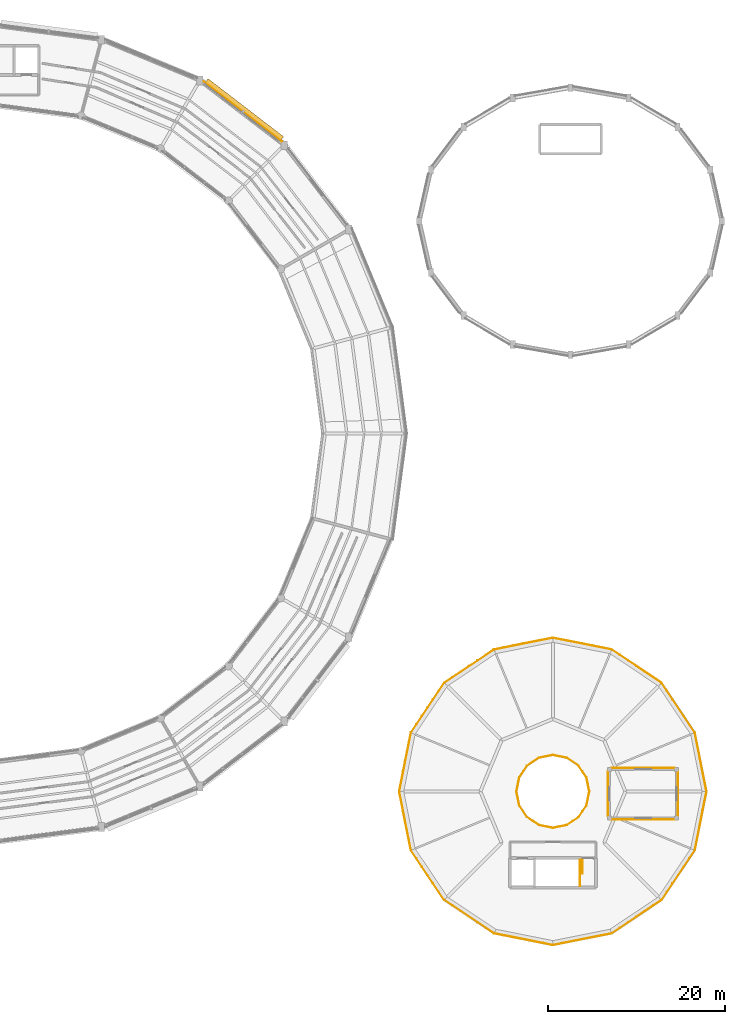
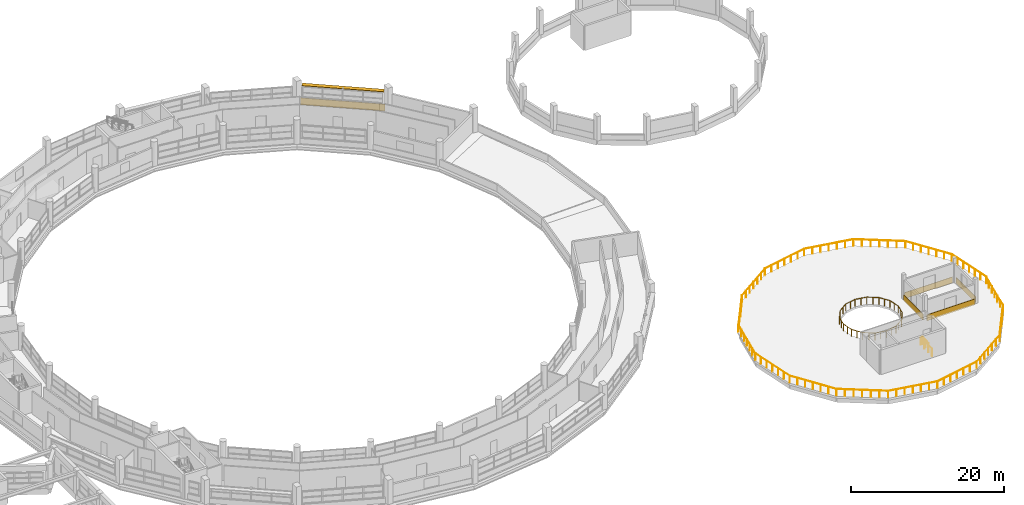
# One storey, part 107 of 108: 6 railings, 5 coverings, 1 shading device.
"""IFC4 building model written with IfcOpenShell, lengths in metres."""

from ifc_helpers import new_model, si_unit, direction, frame, frame_2d, origin, origin_2d, place, context, subcontext, project, spatial, rectangle, circle, extrude, material, layer, layer_set, type_object, element, save


model = new_model("IFC4")

# Units and contexts
model_context = context("Model", 3, precision=1e-05, world=origin(), true_north=direction((0.0, 1.0)))
body_context = subcontext(model_context, "Body", "Model", "MODEL_VIEW")
ifc_project = project(units=[si_unit("LENGTHUNIT", "METRE"), si_unit("AREAUNIT", "SQUARE_METRE"), si_unit("VOLUMEUNIT", "CUBIC_METRE"), si_unit("PLANEANGLEUNIT", "RADIAN"), si_unit("MASSUNIT", "GRAM", prefix="KILO")], contexts=[model_context])

# Site, building, storey
site_placement = place(None, origin())
site = spatial("IfcSite", under=ifc_project, at=site_placement, CompositionType="ELEMENT")
building_placement = place(site_placement, origin())
building = spatial("IfcBuilding", under=site, at=building_placement, Name="Vespera Passage Community Centre", CompositionType="ELEMENT")
storey_placement = place(building_placement, frame((0.0, 0.0, 12.60009765625)))
storey = spatial("IfcBuildingStorey", under=building, at=storey_placement, Name="L03", CompositionType="ELEMENT", Elevation=12.60009765625)

# Coverings
ifc_material_1 = material(Name="Precast concrete f'c 40 MPa", Category="concrete")
ifc_layer = layer(ifc_material_1, 0.06005859375)
ifc_layer_set = layer_set([ifc_layer], Name="Precast concrete f'c 40 MPa")
covering_type = type_object("IfcCoveringType", Name="COV-CLAD-60E", PredefinedType="CLADDING", material=ifc_layer_set)
covering_1_placement = place(storey_placement, frame((101.5087890625, 105.2861328125, -0.280029296875), z_axis=(0.0, 0.0, 1.0), x_axis=(0.793342066679, -0.608776120785, 0.0)))
element("IfcCovering", 1, at=covering_1_placement, inside=storey, type_object=covering_type, Name="V4 L03 Outer White Spandrel Band O3", PredefinedType="CLADDING", context=body_context, shape_type="SweptSolid", body=[
    extrude(rectangle(XDim=11.13916015625, YDim=0.06005859375, at=frame_2d((5.569580078125, 0.0))), origin(), (0.0, 0.0, 1.0), 1.099853515625),
])
covering_2_placement = place(storey_placement, frame((147.2451171875, 22.199951171875, -0.2001953125), z_axis=(0.0, 0.0, 1.0), x_axis=(0.0, 1.0, 0.0)))
element("IfcCovering", 2, at=covering_2_placement, inside=storey, type_object=covering_type, Name="Conservatory White Sill Band 1", PredefinedType="CLADDING", context=body_context, shape_type="SweptSolid", body=[
    extrude(rectangle(XDim=5.10009765625, YDim=0.06005859375, at=frame_2d((2.550048828125, 0.0))), origin(), (0.0, 0.0, 1.0), 0.9501953125),
])
covering_3_placement = place(storey_placement, frame((147.60009765625, 27.655029296875, -0.2001953125), z_axis=(0.0, 0.0, 1.0), x_axis=(1.0, 0.0, 0.0)))
element("IfcCovering", 3, at=covering_3_placement, inside=storey, type_object=covering_type, Name="Conservatory White Sill Band 2", PredefinedType="CLADDING", context=body_context, shape_type="SweptSolid", body=[
    extrude(rectangle(XDim=7.199951171875, YDim=0.06005859375, at=frame_2d((3.60009765625, 0.0))), origin(), (0.0, 0.0, 1.0), 0.9501953125),
])
covering_4_placement = place(storey_placement, frame((155.155029296875, 27.300048828125, -0.2001953125), z_axis=(0.0, 0.0, 1.0), x_axis=(0.0, -1.0, 0.0)))
element("IfcCovering", 4, at=covering_4_placement, inside=storey, type_object=covering_type, Name="Conservatory White Sill Band 3", PredefinedType="CLADDING", context=body_context, shape_type="SweptSolid", body=[
    extrude(rectangle(XDim=5.10009765625, YDim=0.06005859375, at=frame_2d((2.550048828125, 0.0))), origin(), (0.0, 0.0, 1.0), 0.9501953125),
])
covering_5_placement = place(storey_placement, frame((154.800048828125, 21.844970703125, -0.2001953125), z_axis=(0.0, 0.0, 1.0), x_axis=(-1.0, 0.0, 0.0)))
element("IfcCovering", 5, at=covering_5_placement, inside=storey, type_object=covering_type, Name="Conservatory White Sill Band 4", PredefinedType="CLADDING", context=body_context, shape_type="SweptSolid", body=[
    extrude(rectangle(XDim=7.199951171875, YDim=0.06005859375, at=frame_2d((3.60009765625, 0.0))), origin(), (0.0, 0.0, 1.0), 0.9501953125),
])

# Railings
ifc_material_2 = material(Name="Steel ASTM A500 Grade C", Category="steel")
railing_type_1 = type_object("IfcRailingType", Name="RL-EXT-1100E", PredefinedType="GUARDRAIL", material=ifc_material_2)
railing_1_placement = place(storey_placement, frame((158.3798828125, 25.0, 0.0)))
element("IfcRailing", 6, at=railing_1_placement, inside=storey, type_object=railing_type_1, Name="L03 Planted Roof Garden North Perimeter Guard", PredefinedType="GUARDRAIL", context=body_context, shape_type="SweptSolid", body=[
    extrude(circle(Radius=0.02392578125, at=origin_2d()), frame((0.0, 0.0, 1.09619140625), z_axis=(-0.19509826279, 0.980783700852, 0.0), x_axis=(-0.980783700852, -0.19509826279, 0.0)), (0.0, 0.0, 1.0), 6.78125),
    extrude(circle(Radius=0.02392578125, at=origin_2d()), frame((-1.322998046875, 6.65087890625, 1.09619140625), z_axis=(-0.55553902585, 0.83149046342, 0.0), x_axis=(-0.83149046342, -0.55553902585, 0.0)), (0.0, 0.0, 1.0), 6.781494140625),
    extrude(circle(Radius=0.02392578125, at=origin_2d()), frame((-5.09033203125, 12.28955078125, 1.09619140625), z_axis=(-0.83149046342, 0.55553902585, 0.0), x_axis=(-0.55553902585, -0.83149046342, 0.0)), (0.0, 0.0, 1.0), 6.781494140625),
    extrude(circle(Radius=0.02392578125, at=origin_2d()), frame((-10.72900390625, 16.056884765625, 1.09619140625), z_axis=(-0.980783700852, 0.19509826279, 0.0), x_axis=(-0.19509826279, -0.980783700852, 0.0)), (0.0, 0.0, 1.0), 6.78125),
    extrude(circle(Radius=0.02392578125, at=origin_2d()), frame((-17.3798828125, 17.3798828125, 1.09619140625), z_axis=(-0.980783700852, -0.19509826279, 0.0), x_axis=(0.19509826279, -0.980783700852, 0.0)), (0.0, 0.0, 1.0), 6.78125),
    extrude(circle(Radius=0.02392578125, at=origin_2d()), frame((-24.03076171875, 16.056884765625, 1.09619140625), z_axis=(-0.83149046342, -0.55553902585, 0.0), x_axis=(0.55553902585, -0.83149046342, 0.0)), (0.0, 0.0, 1.0), 6.781494140625),
    extrude(circle(Radius=0.02392578125, at=origin_2d()), frame((-29.66943359375, 12.28955078125, 1.09619140625), z_axis=(-0.55553902585, -0.83149046342, 0.0), x_axis=(0.83149046342, -0.55553902585, 0.0)), (0.0, 0.0, 1.0), 6.781494140625),
    extrude(circle(Radius=0.02392578125, at=origin_2d()), frame((-33.436767578125, 6.65087890625, 1.09619140625), z_axis=(-0.19509826279, -0.980783700852, 0.0), x_axis=(0.980783700852, -0.19509826279, 0.0)), (0.0, 0.0, 1.0), 6.78125),
    extrude(circle(Radius=0.02099609375, at=origin_2d()), origin(), (0.0, 0.0, 1.0), 1.072021484375),
    extrude(circle(Radius=0.02099609375, at=origin_2d()), frame((-0.220458984375, 1.1083984375, 0.0)), (0.0, 0.0, 1.0), 1.072021484375),
    extrude(circle(Radius=0.02099609375, at=origin_2d()), frame((-0.44091796875, 2.217041015625, 0.0)), (0.0, 0.0, 1.0), 1.072021484375),
    extrude(circle(Radius=0.02099609375, at=origin_2d()), frame((-0.66162109375, 3.325439453125, 0.0)), (0.0, 0.0, 1.0), 1.072021484375),
    extrude(circle(Radius=0.02099609375, at=origin_2d()), frame((-0.882080078125, 4.433837890625, 0.0)), (0.0, 0.0, 1.0), 1.072021484375),
    extrude(circle(Radius=0.02099609375, at=origin_2d()), frame((-1.1025390625, 5.54248046875, 0.0)), (0.0, 0.0, 1.0), 1.072021484375),
    extrude(circle(Radius=0.02099609375, at=origin_2d()), frame((-1.322998046875, 6.65087890625, 0.0)), (0.0, 0.0, 1.0), 1.072021484375),
    extrude(circle(Radius=0.02099609375, at=origin_2d()), frame((-1.950927734375, 7.590576171875, 0.0)), (0.0, 0.0, 1.0), 1.072021484375),
    extrude(circle(Radius=0.02099609375, at=origin_2d()), frame((-2.578857421875, 8.530517578125, 0.0)), (0.0, 0.0, 1.0), 1.072021484375),
    extrude(circle(Radius=0.02099609375, at=origin_2d()), frame((-3.20654296875, 9.47021484375, 0.0)), (0.0, 0.0, 1.0), 1.072021484375),
    extrude(circle(Radius=0.02099609375, at=origin_2d()), frame((-3.83447265625, 10.409912109375, 0.0)), (0.0, 0.0, 1.0), 1.072021484375),
    extrude(circle(Radius=0.02099609375, at=origin_2d()), frame((-4.46240234375, 11.349853515625, 0.0)), (0.0, 0.0, 1.0), 1.072021484375),
    extrude(circle(Radius=0.02099609375, at=origin_2d()), frame((-5.09033203125, 12.28955078125, 0.0)), (0.0, 0.0, 1.0), 1.072021484375),
    extrude(circle(Radius=0.02099609375, at=origin_2d()), frame((-6.030029296875, 12.91748046875, 0.0)), (0.0, 0.0, 1.0), 1.072021484375),
    extrude(circle(Radius=0.02099609375, at=origin_2d()), frame((-6.969970703125, 13.54541015625, 0.0)), (0.0, 0.0, 1.0), 1.072021484375),
    extrude(circle(Radius=0.02099609375, at=origin_2d()), frame((-7.90966796875, 14.17333984375, 0.0)), (0.0, 0.0, 1.0), 1.072021484375),
    extrude(circle(Radius=0.02099609375, at=origin_2d()), frame((-8.849365234375, 14.801025390625, 0.0)), (0.0, 0.0, 1.0), 1.072021484375),
    extrude(circle(Radius=0.02099609375, at=origin_2d()), frame((-9.789306640625, 15.428955078125, 0.0)), (0.0, 0.0, 1.0), 1.072021484375),
    extrude(circle(Radius=0.02099609375, at=origin_2d()), frame((-10.72900390625, 16.056884765625, 0.0)), (0.0, 0.0, 1.0), 1.072021484375),
    extrude(circle(Radius=0.02099609375, at=origin_2d()), frame((-11.83740234375, 16.27734375, 0.0)), (0.0, 0.0, 1.0), 1.072021484375),
    extrude(circle(Radius=0.02099609375, at=origin_2d()), frame((-12.946044921875, 16.497802734375, 0.0)), (0.0, 0.0, 1.0), 1.072021484375),
    extrude(circle(Radius=0.02099609375, at=origin_2d()), frame((-14.054443359375, 16.71826171875, 0.0)), (0.0, 0.0, 1.0), 1.072021484375),
    extrude(circle(Radius=0.02099609375, at=origin_2d()), frame((-15.162841796875, 16.93896484375, 0.0)), (0.0, 0.0, 1.0), 1.072021484375),
    extrude(circle(Radius=0.02099609375, at=origin_2d()), frame((-16.271484375, 17.159423828125, 0.0)), (0.0, 0.0, 1.0), 1.072021484375),
    extrude(circle(Radius=0.02099609375, at=origin_2d()), frame((-17.3798828125, 17.3798828125, 0.0)), (0.0, 0.0, 1.0), 1.072021484375),
    extrude(circle(Radius=0.02099609375, at=origin_2d()), frame((-18.48828125, 17.159423828125, 0.0)), (0.0, 0.0, 1.0), 1.072021484375),
    extrude(circle(Radius=0.02099609375, at=origin_2d()), frame((-19.596923828125, 16.93896484375, 0.0)), (0.0, 0.0, 1.0), 1.072021484375),
    extrude(circle(Radius=0.02099609375, at=origin_2d()), frame((-20.705322265625, 16.71826171875, 0.0)), (0.0, 0.0, 1.0), 1.072021484375),
    extrude(circle(Radius=0.02099609375, at=origin_2d()), frame((-21.813720703125, 16.497802734375, 0.0)), (0.0, 0.0, 1.0), 1.072021484375),
    extrude(circle(Radius=0.02099609375, at=origin_2d()), frame((-22.92236328125, 16.27734375, 0.0)), (0.0, 0.0, 1.0), 1.072021484375),
    extrude(circle(Radius=0.02099609375, at=origin_2d()), frame((-24.03076171875, 16.056884765625, 0.0)), (0.0, 0.0, 1.0), 1.072021484375),
    extrude(circle(Radius=0.02099609375, at=origin_2d()), frame((-24.970458984375, 15.428955078125, 0.0)), (0.0, 0.0, 1.0), 1.072021484375),
    extrude(circle(Radius=0.02099609375, at=origin_2d()), frame((-25.910400390625, 14.801025390625, 0.0)), (0.0, 0.0, 1.0), 1.072021484375),
    extrude(circle(Radius=0.02099609375, at=origin_2d()), frame((-26.85009765625, 14.17333984375, 0.0)), (0.0, 0.0, 1.0), 1.072021484375),
    extrude(circle(Radius=0.02099609375, at=origin_2d()), frame((-27.789794921875, 13.54541015625, 0.0)), (0.0, 0.0, 1.0), 1.072021484375),
    extrude(circle(Radius=0.02099609375, at=origin_2d()), frame((-28.729736328125, 12.91748046875, 0.0)), (0.0, 0.0, 1.0), 1.072021484375),
    extrude(circle(Radius=0.02099609375, at=origin_2d()), frame((-29.66943359375, 12.28955078125, 0.0)), (0.0, 0.0, 1.0), 1.072021484375),
    extrude(circle(Radius=0.02099609375, at=origin_2d()), frame((-30.29736328125, 11.349853515625, 0.0)), (0.0, 0.0, 1.0), 1.072021484375),
    extrude(circle(Radius=0.02099609375, at=origin_2d()), frame((-30.92529296875, 10.409912109375, 0.0)), (0.0, 0.0, 1.0), 1.072021484375),
    extrude(circle(Radius=0.02099609375, at=origin_2d()), frame((-31.55322265625, 9.47021484375, 0.0)), (0.0, 0.0, 1.0), 1.072021484375),
    extrude(circle(Radius=0.02099609375, at=origin_2d()), frame((-32.180908203125, 8.530517578125, 0.0)), (0.0, 0.0, 1.0), 1.072021484375),
    extrude(circle(Radius=0.02099609375, at=origin_2d()), frame((-32.808837890625, 7.590576171875, 0.0)), (0.0, 0.0, 1.0), 1.072021484375),
    extrude(circle(Radius=0.02099609375, at=origin_2d()), frame((-33.436767578125, 6.65087890625, 0.0)), (0.0, 0.0, 1.0), 1.072021484375),
    extrude(circle(Radius=0.02099609375, at=origin_2d()), frame((-33.6572265625, 5.54248046875, 0.0)), (0.0, 0.0, 1.0), 1.072021484375),
    extrude(circle(Radius=0.02099609375, at=origin_2d()), frame((-33.877685546875, 4.433837890625, 0.0)), (0.0, 0.0, 1.0), 1.072021484375),
    extrude(circle(Radius=0.02099609375, at=origin_2d()), frame((-34.09814453125, 3.325439453125, 0.0)), (0.0, 0.0, 1.0), 1.072021484375),
    extrude(circle(Radius=0.02099609375, at=origin_2d()), frame((-34.31884765625, 2.217041015625, 0.0)), (0.0, 0.0, 1.0), 1.072021484375),
    extrude(circle(Radius=0.02099609375, at=origin_2d()), frame((-34.539306640625, 1.1083984375, 0.0)), (0.0, 0.0, 1.0), 1.072021484375),
    extrude(circle(Radius=0.02099609375, at=origin_2d()), frame((-34.759765625, 0.0, 0.0)), (0.0, 0.0, 1.0), 1.072021484375),
])
railing_2_placement = place(storey_placement, frame((123.6201171875, 25.0, 0.0)))
element("IfcRailing", 7, at=railing_2_placement, inside=storey, type_object=railing_type_1, Name="L03 Planted Roof Garden South Perimeter Guard", PredefinedType="GUARDRAIL", context=body_context, shape_type="SweptSolid", body=[
    extrude(circle(Radius=0.02392578125, at=origin_2d()), frame((0.0, 0.0, 1.09619140625), z_axis=(0.19509826279, -0.980783700852, 0.0), x_axis=(0.980783700852, 0.19509826279, 0.0)), (0.0, 0.0, 1.0), 6.78125),
    extrude(circle(Radius=0.02392578125, at=origin_2d()), frame((1.322998046875, -6.65087890625, 1.09619140625), z_axis=(0.55553902585, -0.83149046342, 0.0), x_axis=(0.83149046342, 0.55553902585, 0.0)), (0.0, 0.0, 1.0), 6.781494140625),
    extrude(circle(Radius=0.02392578125, at=origin_2d()), frame((5.09033203125, -12.28955078125, 1.09619140625), z_axis=(0.83149046342, -0.55553902585, 0.0), x_axis=(0.55553902585, 0.83149046342, 0.0)), (0.0, 0.0, 1.0), 6.781494140625),
    extrude(circle(Radius=0.02392578125, at=origin_2d()), frame((10.72900390625, -16.056884765625, 1.09619140625), z_axis=(0.980783700852, -0.19509826279, 0.0), x_axis=(0.19509826279, 0.980783700852, 0.0)), (0.0, 0.0, 1.0), 6.78125),
    extrude(circle(Radius=0.02392578125, at=origin_2d()), frame((17.3798828125, -17.3798828125, 1.09619140625), z_axis=(0.980783700852, 0.19509826279, 0.0), x_axis=(-0.19509826279, 0.980783700852, 0.0)), (0.0, 0.0, 1.0), 6.78125),
    extrude(circle(Radius=0.02392578125, at=origin_2d()), frame((24.03076171875, -16.056884765625, 1.09619140625), z_axis=(0.83149046342, 0.55553902585, 0.0), x_axis=(-0.55553902585, 0.83149046342, 0.0)), (0.0, 0.0, 1.0), 6.781494140625),
    extrude(circle(Radius=0.02392578125, at=origin_2d()), frame((29.66943359375, -12.28955078125, 1.09619140625), z_axis=(0.55553902585, 0.83149046342, 0.0), x_axis=(-0.83149046342, 0.55553902585, 0.0)), (0.0, 0.0, 1.0), 6.781494140625),
    extrude(circle(Radius=0.02392578125, at=origin_2d()), frame((33.436767578125, -6.65087890625, 1.09619140625), z_axis=(0.19509826279, 0.980783700852, 0.0), x_axis=(-0.980783700852, 0.19509826279, 0.0)), (0.0, 0.0, 1.0), 6.78125),
    extrude(circle(Radius=0.02099609375, at=origin_2d()), origin(), (0.0, 0.0, 1.0), 1.072021484375),
    extrude(circle(Radius=0.02099609375, at=origin_2d()), frame((0.220458984375, -1.1083984375, 0.0)), (0.0, 0.0, 1.0), 1.072021484375),
    extrude(circle(Radius=0.02099609375, at=origin_2d()), frame((0.44091796875, -2.217041015625, 0.0)), (0.0, 0.0, 1.0), 1.072021484375),
    extrude(circle(Radius=0.02099609375, at=origin_2d()), frame((0.66162109375, -3.325439453125, 0.0)), (0.0, 0.0, 1.0), 1.072021484375),
    extrude(circle(Radius=0.02099609375, at=origin_2d()), frame((0.882080078125, -4.433837890625, 0.0)), (0.0, 0.0, 1.0), 1.072021484375),
    extrude(circle(Radius=0.02099609375, at=origin_2d()), frame((1.1025390625, -5.54248046875, 0.0)), (0.0, 0.0, 1.0), 1.072021484375),
    extrude(circle(Radius=0.02099609375, at=origin_2d()), frame((1.322998046875, -6.65087890625, 0.0)), (0.0, 0.0, 1.0), 1.072021484375),
    extrude(circle(Radius=0.02099609375, at=origin_2d()), frame((1.950927734375, -7.590576171875, 0.0)), (0.0, 0.0, 1.0), 1.072021484375),
    extrude(circle(Radius=0.02099609375, at=origin_2d()), frame((2.578857421875, -8.530517578125, 0.0)), (0.0, 0.0, 1.0), 1.072021484375),
    extrude(circle(Radius=0.02099609375, at=origin_2d()), frame((3.20654296875, -9.47021484375, 0.0)), (0.0, 0.0, 1.0), 1.072021484375),
    extrude(circle(Radius=0.02099609375, at=origin_2d()), frame((3.83447265625, -10.409912109375, 0.0)), (0.0, 0.0, 1.0), 1.072021484375),
    extrude(circle(Radius=0.02099609375, at=origin_2d()), frame((4.46240234375, -11.349853515625, 0.0)), (0.0, 0.0, 1.0), 1.072021484375),
    extrude(circle(Radius=0.02099609375, at=origin_2d()), frame((5.09033203125, -12.28955078125, 0.0)), (0.0, 0.0, 1.0), 1.072021484375),
    extrude(circle(Radius=0.02099609375, at=origin_2d()), frame((6.030029296875, -12.91748046875, 0.0)), (0.0, 0.0, 1.0), 1.072021484375),
    extrude(circle(Radius=0.02099609375, at=origin_2d()), frame((6.969970703125, -13.54541015625, 0.0)), (0.0, 0.0, 1.0), 1.072021484375),
    extrude(circle(Radius=0.02099609375, at=origin_2d()), frame((7.90966796875, -14.17333984375, 0.0)), (0.0, 0.0, 1.0), 1.072021484375),
    extrude(circle(Radius=0.02099609375, at=origin_2d()), frame((8.849365234375, -14.801025390625, 0.0)), (0.0, 0.0, 1.0), 1.072021484375),
    extrude(circle(Radius=0.02099609375, at=origin_2d()), frame((9.789306640625, -15.428955078125, 0.0)), (0.0, 0.0, 1.0), 1.072021484375),
    extrude(circle(Radius=0.02099609375, at=origin_2d()), frame((10.72900390625, -16.056884765625, 0.0)), (0.0, 0.0, 1.0), 1.072021484375),
    extrude(circle(Radius=0.02099609375, at=origin_2d()), frame((11.83740234375, -16.27734375, 0.0)), (0.0, 0.0, 1.0), 1.072021484375),
    extrude(circle(Radius=0.02099609375, at=origin_2d()), frame((12.946044921875, -16.497802734375, 0.0)), (0.0, 0.0, 1.0), 1.072021484375),
    extrude(circle(Radius=0.02099609375, at=origin_2d()), frame((14.054443359375, -16.71826171875, 0.0)), (0.0, 0.0, 1.0), 1.072021484375),
    extrude(circle(Radius=0.02099609375, at=origin_2d()), frame((15.162841796875, -16.93896484375, 0.0)), (0.0, 0.0, 1.0), 1.072021484375),
    extrude(circle(Radius=0.02099609375, at=origin_2d()), frame((16.271484375, -17.159423828125, 0.0)), (0.0, 0.0, 1.0), 1.072021484375),
    extrude(circle(Radius=0.02099609375, at=origin_2d()), frame((17.3798828125, -17.3798828125, 0.0)), (0.0, 0.0, 1.0), 1.072021484375),
    extrude(circle(Radius=0.02099609375, at=origin_2d()), frame((18.48828125, -17.159423828125, 0.0)), (0.0, 0.0, 1.0), 1.072021484375),
    extrude(circle(Radius=0.02099609375, at=origin_2d()), frame((19.596923828125, -16.93896484375, 0.0)), (0.0, 0.0, 1.0), 1.072021484375),
    extrude(circle(Radius=0.02099609375, at=origin_2d()), frame((20.705322265625, -16.71826171875, 0.0)), (0.0, 0.0, 1.0), 1.072021484375),
    extrude(circle(Radius=0.02099609375, at=origin_2d()), frame((21.813720703125, -16.497802734375, 0.0)), (0.0, 0.0, 1.0), 1.072021484375),
    extrude(circle(Radius=0.02099609375, at=origin_2d()), frame((22.92236328125, -16.27734375, 0.0)), (0.0, 0.0, 1.0), 1.072021484375),
    extrude(circle(Radius=0.02099609375, at=origin_2d()), frame((24.03076171875, -16.056884765625, 0.0)), (0.0, 0.0, 1.0), 1.072021484375),
    extrude(circle(Radius=0.02099609375, at=origin_2d()), frame((24.970458984375, -15.428955078125, 0.0)), (0.0, 0.0, 1.0), 1.072021484375),
    extrude(circle(Radius=0.02099609375, at=origin_2d()), frame((25.910400390625, -14.801025390625, 0.0)), (0.0, 0.0, 1.0), 1.072021484375),
    extrude(circle(Radius=0.02099609375, at=origin_2d()), frame((26.85009765625, -14.17333984375, 0.0)), (0.0, 0.0, 1.0), 1.072021484375),
    extrude(circle(Radius=0.02099609375, at=origin_2d()), frame((27.789794921875, -13.54541015625, 0.0)), (0.0, 0.0, 1.0), 1.072021484375),
    extrude(circle(Radius=0.02099609375, at=origin_2d()), frame((28.729736328125, -12.91748046875, 0.0)), (0.0, 0.0, 1.0), 1.072021484375),
    extrude(circle(Radius=0.02099609375, at=origin_2d()), frame((29.66943359375, -12.28955078125, 0.0)), (0.0, 0.0, 1.0), 1.072021484375),
    extrude(circle(Radius=0.02099609375, at=origin_2d()), frame((30.29736328125, -11.349853515625, 0.0)), (0.0, 0.0, 1.0), 1.072021484375),
    extrude(circle(Radius=0.02099609375, at=origin_2d()), frame((30.92529296875, -10.409912109375, 0.0)), (0.0, 0.0, 1.0), 1.072021484375),
    extrude(circle(Radius=0.02099609375, at=origin_2d()), frame((31.55322265625, -9.47021484375, 0.0)), (0.0, 0.0, 1.0), 1.072021484375),
    extrude(circle(Radius=0.02099609375, at=origin_2d()), frame((32.180908203125, -8.530517578125, 0.0)), (0.0, 0.0, 1.0), 1.072021484375),
    extrude(circle(Radius=0.02099609375, at=origin_2d()), frame((32.808837890625, -7.590576171875, 0.0)), (0.0, 0.0, 1.0), 1.072021484375),
    extrude(circle(Radius=0.02099609375, at=origin_2d()), frame((33.436767578125, -6.65087890625, 0.0)), (0.0, 0.0, 1.0), 1.072021484375),
    extrude(circle(Radius=0.02099609375, at=origin_2d()), frame((33.6572265625, -5.54248046875, 0.0)), (0.0, 0.0, 1.0), 1.072021484375),
    extrude(circle(Radius=0.02099609375, at=origin_2d()), frame((33.877685546875, -4.433837890625, 0.0)), (0.0, 0.0, 1.0), 1.072021484375),
    extrude(circle(Radius=0.02099609375, at=origin_2d()), frame((34.09814453125, -3.325439453125, 0.0)), (0.0, 0.0, 1.0), 1.072021484375),
    extrude(circle(Radius=0.02099609375, at=origin_2d()), frame((34.31884765625, -2.217041015625, 0.0)), (0.0, 0.0, 1.0), 1.072021484375),
    extrude(circle(Radius=0.02099609375, at=origin_2d()), frame((34.539306640625, -1.1083984375, 0.0)), (0.0, 0.0, 1.0), 1.072021484375),
    extrude(circle(Radius=0.02099609375, at=origin_2d()), frame((34.759765625, 0.0, 0.0)), (0.0, 0.0, 1.0), 1.072021484375),
])
railing_3_placement = place(storey_placement, frame((145.1201171875, 25.0, 0.0)))
element("IfcRailing", 8, at=railing_3_placement, inside=storey, type_object=railing_type_1, Name="L03 Roof Garden Inner Court North Guard", PredefinedType="GUARDRAIL", context=body_context, shape_type="SweptSolid", body=[
    extrude(circle(Radius=0.02392578125, at=origin_2d()), frame((0.0, 0.0, 1.09619140625), z_axis=(-0.195152253465, 0.980772959439, 0.0), x_axis=(-0.980772959439, -0.195152253465, 0.0)), (0.0, 0.0, 1.0), 1.607666015625),
    extrude(circle(Radius=0.02392578125, at=origin_2d()), frame((-0.313720703125, 1.57666015625, 1.09619140625), z_axis=(-0.555541039823, 0.831489117832, 0.0), x_axis=(-0.831489117832, -0.555541039823, 0.0)), (0.0, 0.0, 1.0), 1.607666015625),
    extrude(circle(Radius=0.02392578125, at=origin_2d()), frame((-1.206787109375, 2.913330078125, 1.09619140625), z_axis=(-0.831489117832, 0.555541039823, 0.0), x_axis=(-0.555541039823, -0.831489117832, 0.0)), (0.0, 0.0, 1.0), 1.607666015625),
    extrude(circle(Radius=0.02392578125, at=origin_2d()), frame((-2.54345703125, 3.806396484375, 1.09619140625), z_axis=(-0.980772959439, 0.195152253465, 0.0), x_axis=(-0.195152253465, -0.980772959439, 0.0)), (0.0, 0.0, 1.0), 1.607666015625),
    extrude(circle(Radius=0.02392578125, at=origin_2d()), frame((-4.1201171875, 4.1201171875, 1.09619140625), z_axis=(-0.980772959439, -0.195152253465, 0.0), x_axis=(0.195152253465, -0.980772959439, 0.0)), (0.0, 0.0, 1.0), 1.607666015625),
    extrude(circle(Radius=0.02392578125, at=origin_2d()), frame((-5.69677734375, 3.806396484375, 1.09619140625), z_axis=(-0.831489117832, -0.555541039823, 0.0), x_axis=(0.555541039823, -0.831489117832, 0.0)), (0.0, 0.0, 1.0), 1.607666015625),
    extrude(circle(Radius=0.02392578125, at=origin_2d()), frame((-7.033447265625, 2.913330078125, 1.09619140625), z_axis=(-0.555541039823, -0.831489117832, 0.0), x_axis=(0.831489117832, -0.555541039823, 0.0)), (0.0, 0.0, 1.0), 1.607666015625),
    extrude(circle(Radius=0.02392578125, at=origin_2d()), frame((-7.926513671875, 1.57666015625, 1.09619140625), z_axis=(-0.195152253465, -0.980772959439, 0.0), x_axis=(0.980772959439, -0.195152253465, 0.0)), (0.0, 0.0, 1.0), 1.607666015625),
    extrude(circle(Radius=0.02099609375, at=origin_2d()), origin(), (0.0, 0.0, 1.0), 1.072021484375),
    extrude(circle(Radius=0.02099609375, at=origin_2d()), frame((-0.15673828125, 0.788330078125, 0.0)), (0.0, 0.0, 1.0), 1.072021484375),
    extrude(circle(Radius=0.02099609375, at=origin_2d()), frame((-0.313720703125, 1.57666015625, 0.0)), (0.0, 0.0, 1.0), 1.072021484375),
    extrude(circle(Radius=0.02099609375, at=origin_2d()), frame((-0.76025390625, 2.2451171875, 0.0)), (0.0, 0.0, 1.0), 1.072021484375),
    extrude(circle(Radius=0.02099609375, at=origin_2d()), frame((-1.206787109375, 2.913330078125, 0.0)), (0.0, 0.0, 1.0), 1.072021484375),
    extrude(circle(Radius=0.02099609375, at=origin_2d()), frame((-1.875, 3.35986328125, 0.0)), (0.0, 0.0, 1.0), 1.072021484375),
    extrude(circle(Radius=0.02099609375, at=origin_2d()), frame((-2.54345703125, 3.806396484375, 0.0)), (0.0, 0.0, 1.0), 1.072021484375),
    extrude(circle(Radius=0.02099609375, at=origin_2d()), frame((-3.331787109375, 3.96337890625, 0.0)), (0.0, 0.0, 1.0), 1.072021484375),
    extrude(circle(Radius=0.02099609375, at=origin_2d()), frame((-4.1201171875, 4.1201171875, 0.0)), (0.0, 0.0, 1.0), 1.072021484375),
    extrude(circle(Radius=0.02099609375, at=origin_2d()), frame((-4.908447265625, 3.96337890625, 0.0)), (0.0, 0.0, 1.0), 1.072021484375),
    extrude(circle(Radius=0.02099609375, at=origin_2d()), frame((-5.69677734375, 3.806396484375, 0.0)), (0.0, 0.0, 1.0), 1.072021484375),
    extrude(circle(Radius=0.02099609375, at=origin_2d()), frame((-6.365234375, 3.35986328125, 0.0)), (0.0, 0.0, 1.0), 1.072021484375),
    extrude(circle(Radius=0.02099609375, at=origin_2d()), frame((-7.033447265625, 2.913330078125, 0.0)), (0.0, 0.0, 1.0), 1.072021484375),
    extrude(circle(Radius=0.02099609375, at=origin_2d()), frame((-7.47998046875, 2.2451171875, 0.0)), (0.0, 0.0, 1.0), 1.072021484375),
    extrude(circle(Radius=0.02099609375, at=origin_2d()), frame((-7.926513671875, 1.57666015625, 0.0)), (0.0, 0.0, 1.0), 1.072021484375),
    extrude(circle(Radius=0.02099609375, at=origin_2d()), frame((-8.08349609375, 0.788330078125, 0.0)), (0.0, 0.0, 1.0), 1.072021484375),
    extrude(circle(Radius=0.02099609375, at=origin_2d()), frame((-8.240234375, 0.0, 0.0)), (0.0, 0.0, 1.0), 1.072021484375),
])
railing_4_placement = place(storey_placement, frame((136.8798828125, 25.0, 0.0)))
element("IfcRailing", 9, at=railing_4_placement, inside=storey, type_object=railing_type_1, Name="L03 Roof Garden Inner Court South Guard", PredefinedType="GUARDRAIL", context=body_context, shape_type="SweptSolid", body=[
    extrude(circle(Radius=0.02392578125, at=origin_2d()), frame((0.0, 0.0, 1.09619140625), z_axis=(0.195152253465, -0.980772959439, 0.0), x_axis=(0.980772959439, 0.195152253465, 0.0)), (0.0, 0.0, 1.0), 1.607666015625),
    extrude(circle(Radius=0.02392578125, at=origin_2d()), frame((0.313720703125, -1.57666015625, 1.09619140625), z_axis=(0.555541039823, -0.831489117832, 0.0), x_axis=(0.831489117832, 0.555541039823, 0.0)), (0.0, 0.0, 1.0), 1.607666015625),
    extrude(circle(Radius=0.02392578125, at=origin_2d()), frame((1.206787109375, -2.913330078125, 1.09619140625), z_axis=(0.831489117832, -0.555541039823, 0.0), x_axis=(0.555541039823, 0.831489117832, 0.0)), (0.0, 0.0, 1.0), 1.607666015625),
    extrude(circle(Radius=0.02392578125, at=origin_2d()), frame((2.54345703125, -3.806396484375, 1.09619140625), z_axis=(0.980772959439, -0.195152253465, 0.0), x_axis=(0.195152253465, 0.980772959439, 0.0)), (0.0, 0.0, 1.0), 1.607666015625),
    extrude(circle(Radius=0.02392578125, at=origin_2d()), frame((4.1201171875, -4.1201171875, 1.09619140625), z_axis=(0.980772959439, 0.195152253465, 0.0), x_axis=(-0.195152253465, 0.980772959439, 0.0)), (0.0, 0.0, 1.0), 1.607666015625),
    extrude(circle(Radius=0.02392578125, at=origin_2d()), frame((5.69677734375, -3.806396484375, 1.09619140625), z_axis=(0.831489117832, 0.555541039823, 0.0), x_axis=(-0.555541039823, 0.831489117832, 0.0)), (0.0, 0.0, 1.0), 1.607666015625),
    extrude(circle(Radius=0.02392578125, at=origin_2d()), frame((7.033447265625, -2.913330078125, 1.09619140625), z_axis=(0.555541039823, 0.831489117832, 0.0), x_axis=(-0.831489117832, 0.555541039823, 0.0)), (0.0, 0.0, 1.0), 1.607666015625),
    extrude(circle(Radius=0.02392578125, at=origin_2d()), frame((7.926513671875, -1.57666015625, 1.09619140625), z_axis=(0.195152253465, 0.980772959439, 0.0), x_axis=(-0.980772959439, 0.195152253465, 0.0)), (0.0, 0.0, 1.0), 1.607666015625),
    extrude(circle(Radius=0.02099609375, at=origin_2d()), origin(), (0.0, 0.0, 1.0), 1.072021484375),
    extrude(circle(Radius=0.02099609375, at=origin_2d()), frame((0.15673828125, -0.788330078125, 0.0)), (0.0, 0.0, 1.0), 1.072021484375),
    extrude(circle(Radius=0.02099609375, at=origin_2d()), frame((0.313720703125, -1.57666015625, 0.0)), (0.0, 0.0, 1.0), 1.072021484375),
    extrude(circle(Radius=0.02099609375, at=origin_2d()), frame((0.76025390625, -2.2451171875, 0.0)), (0.0, 0.0, 1.0), 1.072021484375),
    extrude(circle(Radius=0.02099609375, at=origin_2d()), frame((1.206787109375, -2.913330078125, 0.0)), (0.0, 0.0, 1.0), 1.072021484375),
    extrude(circle(Radius=0.02099609375, at=origin_2d()), frame((1.875, -3.35986328125, 0.0)), (0.0, 0.0, 1.0), 1.072021484375),
    extrude(circle(Radius=0.02099609375, at=origin_2d()), frame((2.54345703125, -3.806396484375, 0.0)), (0.0, 0.0, 1.0), 1.072021484375),
    extrude(circle(Radius=0.02099609375, at=origin_2d()), frame((3.331787109375, -3.96337890625, 0.0)), (0.0, 0.0, 1.0), 1.072021484375),
    extrude(circle(Radius=0.02099609375, at=origin_2d()), frame((4.1201171875, -4.1201171875, 0.0)), (0.0, 0.0, 1.0), 1.072021484375),
    extrude(circle(Radius=0.02099609375, at=origin_2d()), frame((4.908447265625, -3.96337890625, 0.0)), (0.0, 0.0, 1.0), 1.072021484375),
    extrude(circle(Radius=0.02099609375, at=origin_2d()), frame((5.69677734375, -3.806396484375, 0.0)), (0.0, 0.0, 1.0), 1.072021484375),
    extrude(circle(Radius=0.02099609375, at=origin_2d()), frame((6.365234375, -3.35986328125, 0.0)), (0.0, 0.0, 1.0), 1.072021484375),
    extrude(circle(Radius=0.02099609375, at=origin_2d()), frame((7.033447265625, -2.913330078125, 0.0)), (0.0, 0.0, 1.0), 1.072021484375),
    extrude(circle(Radius=0.02099609375, at=origin_2d()), frame((7.47998046875, -2.2451171875, 0.0)), (0.0, 0.0, 1.0), 1.072021484375),
    extrude(circle(Radius=0.02099609375, at=origin_2d()), frame((7.926513671875, -1.57666015625, 0.0)), (0.0, 0.0, 1.0), 1.072021484375),
    extrude(circle(Radius=0.02099609375, at=origin_2d()), frame((8.08349609375, -0.788330078125, 0.0)), (0.0, 0.0, 1.0), 1.072021484375),
    extrude(circle(Radius=0.02099609375, at=origin_2d()), frame((8.240234375, 0.0, 0.0)), (0.0, 0.0, 1.0), 1.072021484375),
])
ifc_material_3 = material(Name="Steel ASTM A500 Grade C", Category="steel")
railing_type_2 = type_object("IfcRailingType", Name="RL-STAIR-1100I", PredefinedType="GUARDRAIL", material=ifc_material_3)
railing_5_placement = place(storey_placement, frame((144.344970703125, 17.300048828125, 0.0)))
element("IfcRailing", 10, at=railing_5_placement, inside=storey, type_object=railing_type_2, Name="L03 ST08 top well guard 1", PredefinedType="GUARDRAIL", context=body_context, shape_type="SweptSolid", body=[
    extrude(circle(Radius=0.02392578125, at=origin_2d()), frame((0.0, 0.0, 1.09619140625), z_axis=(0.0, -1.0, 0.0), x_axis=(1.0, 0.0, 0.0)), (0.0, 0.0, 1.0), 1.60009765625),
    extrude(circle(Radius=0.02099609375, at=origin_2d()), origin(), (0.0, 0.0, 1.0), 1.072021484375),
    extrude(circle(Radius=0.02099609375, at=origin_2d()), frame((0.0, -0.800048828125, 0.0)), (0.0, 0.0, 1.0), 1.072021484375),
    extrude(circle(Radius=0.02099609375, at=origin_2d()), frame((0.0, -1.60009765625, 0.0)), (0.0, 0.0, 1.0), 1.072021484375),
])
railing_6_placement = place(storey_placement, frame((144.054931640625, 17.280029296875, 0.0)))
element("IfcRailing", 11, at=railing_6_placement, inside=storey, type_object=railing_type_2, Name="Core C7 L03 Stair Well Guard", PredefinedType="GUARDRAIL", context=body_context, shape_type="SweptSolid", body=[
    extrude(circle(Radius=0.02392578125, at=origin_2d()), frame((0.0, 0.0, 1.09619140625), z_axis=(0.0, -1.0, 0.0), x_axis=(1.0, 0.0, 0.0)), (0.0, 0.0, 1.0), 2.9599609375),
    extrude(circle(Radius=0.02099609375, at=origin_2d()), origin(), (0.0, 0.0, 1.0), 1.072021484375),
    extrude(circle(Radius=0.02099609375, at=origin_2d()), frame((0.0, -0.986572265625, 0.0)), (0.0, 0.0, 1.0), 1.072021484375),
    extrude(circle(Radius=0.02099609375, at=origin_2d()), frame((0.0, -1.973388671875, 0.0)), (0.0, 0.0, 1.0), 1.072021484375),
    extrude(circle(Radius=0.02099609375, at=origin_2d()), frame((0.0, -2.9599609375, 0.0)), (0.0, 0.0, 1.0), 1.072021484375),
])

# Shading device
ifc_material_4 = material(Name="Anodized aluminium 6063-T6", Category="aluminium")
shading_device_type = type_object("IfcShadingDeviceType", Name="SHD-EYEBROW", PredefinedType="JALOUSIE", material=ifc_material_4)
shading_device_placement = place(storey_placement, frame((106.091796875, 102.10986328125, 2.70556640625), z_axis=(0.0, 0.0, 1.0), x_axis=(0.793342715279, -0.608775275544, 0.0)))
element("IfcShadingDevice", 12, at=shading_device_placement, inside=storey, type_object=shading_device_type, Name="V4 L03 Outer Solar Eyebrow 3", PredefinedType="JALOUSIE", context=body_context, shape_type="SweptSolid", body=[
    extrude(rectangle(XDim=10.789306640625, YDim=0.60009765625, at=origin_2d()), origin(), (0.0, 0.0, 1.0), 0.080078125),
])

save(model, "model.ifc")
